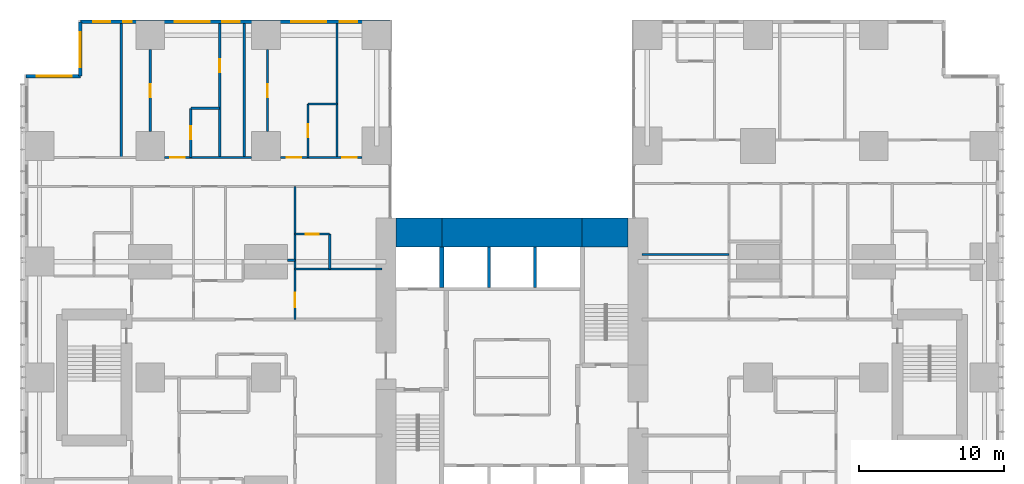
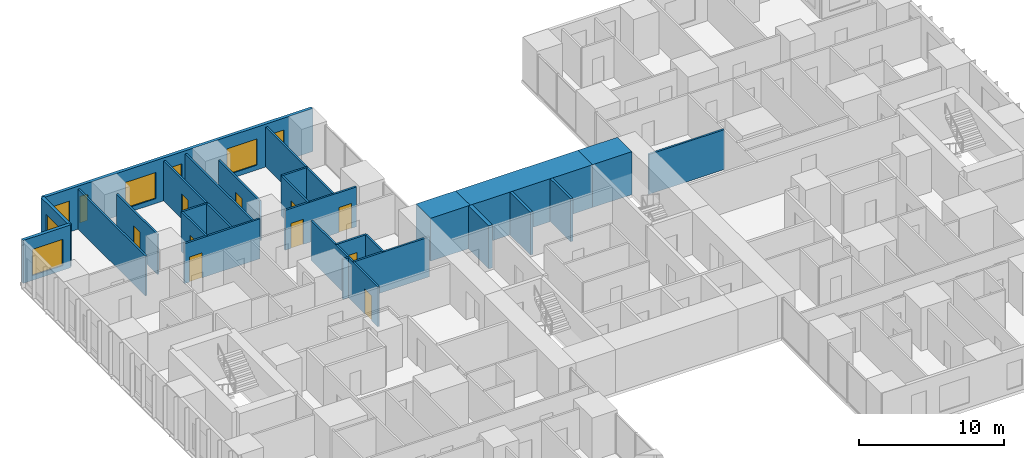
# One storey, part 17 of 21: 27 walls, 10 doors, 8 windows, 18 openings.
"""IFC4 building model written with IfcOpenShell, lengths in metres."""

from ifc_helpers import new_model, si_unit, direction, frame, frame_2d, origin, place, context, subcontext, project, spatial, rectangle, extrude, material, layer, layer_set, type_object, element, fill, save


model = new_model("IFC4")

# Units and contexts
model_context = context("Model", 3, precision=1e-05, world=origin(), true_north=direction((0.0, 1.0)))
body_context = subcontext(model_context, "Body", "Model", "MODEL_VIEW")
ifc_project = project(units=[si_unit("LENGTHUNIT", "METRE"), si_unit("AREAUNIT", "SQUARE_METRE"), si_unit("VOLUMEUNIT", "CUBIC_METRE"), si_unit("PLANEANGLEUNIT", "RADIAN"), si_unit("MASSUNIT", "GRAM", prefix="KILO")], contexts=[model_context])

# Site, building, storey
site_placement = place(None, origin())
site = spatial("IfcSite", under=ifc_project, at=site_placement, CompositionType="ELEMENT")
building_placement = place(site_placement, origin())
building = spatial("IfcBuilding", under=site, at=building_placement, Name="Cleftline Residences", CompositionType="ELEMENT")
storey_placement = place(building_placement, frame((0.0, 0.0, 128.60009765625)))
storey = spatial("IfcBuildingStorey", under=building, at=storey_placement, Name="L33", CompositionType="ELEMENT", Elevation=128.60009765625)

# Walls
ifc_material_1 = material(Name="Concrete B70", Category="concrete")
ifc_layer_1 = layer(ifc_material_1, 2.0)
ifc_layer_set_1 = layer_set([ifc_layer_1], Name="CORE WALL 2000")
wall_type_1 = type_object("IfcWallType", Name="CORE WALL 2000", PredefinedType="SHEAR", material=ifc_layer_set_1)
wall_1_placement = place(storey_placement, frame((25.0, 34.0, 0.0), z_axis=(0.0, 0.0, 1.0), x_axis=(1.0, 0.0, 0.0)))
element("IfcWall", 1, at=wall_1_placement, inside=storey, type_object=wall_type_1, Name="Core wall N1", PredefinedType="SHEAR", context=body_context, shape_type="SweptSolid", body=[
    extrude(rectangle(XDim=3.14990234375, YDim=2.0, at=frame_2d((1.574951171875, 0.0))), origin(), (0.0, 0.0, 1.0), 3.599853515625),
])
wall_2_placement = place(storey_placement, frame((28.14990234375, 34.0, 0.0), z_axis=(0.0, 0.0, 1.0), x_axis=(1.0, 0.0, 0.0)))
element("IfcWall", 2, at=wall_2_placement, inside=storey, type_object=wall_type_1, Name="Core wall N2", PredefinedType="SHEAR", context=body_context, shape_type="SweptSolid", body=[
    extrude(rectangle(XDim=9.7001953125, YDim=2.0, at=frame_2d((4.85009765625, 0.0))), origin(), (0.0, 0.0, 1.0), 3.599853515625),
])
wall_3_placement = place(storey_placement, frame((37.85009765625, 34.0, 0.0), z_axis=(0.0, 0.0, 1.0), x_axis=(1.0, 0.0, 0.0)))
element("IfcWall", 3, at=wall_3_placement, inside=storey, type_object=wall_type_1, Name="Core wall N3", PredefinedType="SHEAR", context=body_context, shape_type="SweptSolid", body=[
    extrude(rectangle(XDim=3.14990234375, YDim=2.0, at=frame_2d((1.574951171875, 0.0))), origin(), (0.0, 0.0, 1.0), 3.599853515625),
])
ifc_material_2 = material(Name="Concrete B70", Category="concrete")
ifc_layer_2 = layer(ifc_material_2, 0.300048828125)
ifc_layer_set_2 = layer_set([ifc_layer_2], Name="CORE WALL 300")
wall_type_2 = type_object("IfcWallType", Name="CORE WALL 300", PredefinedType="SHEAR", material=ifc_layer_set_2)
wall_4_placement = place(storey_placement, frame((28.14990234375, 30.199951171875, 0.0), z_axis=(0.0, 0.0, 1.0), x_axis=(0.0, 1.0, 0.0)))
element("IfcWall", 4, at=wall_4_placement, inside=storey, type_object=wall_type_2, Name="Lift shaft wall", PredefinedType="SHEAR", context=body_context, shape_type="SweptSolid", body=[
    extrude(rectangle(XDim=2.800048828125, YDim=0.300048828125, at=frame_2d((1.39990234375, 0.0))), origin(), (0.0, 0.0, 1.0), 3.599853515625),
])

# Wall, openings, windows
ifc_material_3 = material(Name="Rendered reinforced concrete blockwork", Category="masonry")
ifc_layer_3 = layer(ifc_material_3, 0.25)
ifc_layer_set_3 = layer_set([ifc_layer_3], Name="EXTERNAL WALL 250")
wall_type_3 = type_object("IfcWallType", Name="EXTERNAL WALL 250", PredefinedType="SOLIDWALL", material=ifc_layer_set_3)
wall_5_placement = place(storey_placement, frame((24.574951171875, 48.574951171875, 0.0), z_axis=(0.0, 0.0, 1.0), x_axis=(-1.0, 0.0, 0.0)))
wall_5 = element("IfcWall", 5, at=wall_5_placement, inside=storey, type_object=wall_type_3, Name="External wall", PredefinedType="SOLIDWALL", context=body_context, shape_type="SweptSolid", body=[
    extrude(rectangle(XDim=21.39990234375, YDim=0.25, at=frame_2d((10.699951171875, 0.0))), origin(), (0.0, 0.0, 1.0), 3.599853515625),
])
opening_1_placement = place(wall_5_placement, frame((2.27490234375, 0.0, 0.39990234375)))
opening_1 = element("IfcOpeningElement", 6, at=opening_1_placement, cuts=wall_5, Name="Opening W11", PredefinedType="OPENING", context=body_context, shape_type="SweptSolid", body=[
    extrude(rectangle(XDim=1.199951171875, YDim=2.199951171875, at=frame_2d((0.60009765625, 1.10009765625))), frame((0.0, 0.135009765625, 0.0), z_axis=(0.0, -1.0, 0.0), x_axis=(1.0, 0.0, 0.0)), (0.0, 0.0, 1.0), 0.27001953125),
])
opening_2_placement = place(wall_5_placement, frame((4.425048828125, 0.0, 0.39990234375)))
opening_2 = element("IfcOpeningElement", 7, at=opening_2_placement, cuts=wall_5, Name="Opening W12", PredefinedType="OPENING", context=body_context, shape_type="SweptSolid", body=[
    extrude(rectangle(XDim=2.39990234375, YDim=2.199951171875, at=frame_2d((1.199951171875, 1.10009765625))), frame((0.0, 0.135009765625, 0.0), z_axis=(0.0, -1.0, 0.0), x_axis=(1.0, 0.0, 0.0)), (0.0, 0.0, 1.0), 0.27001953125),
])
opening_3_placement = place(wall_5_placement, frame((10.39990234375, 0.0, 0.39990234375)))
opening_3 = element("IfcOpeningElement", 8, at=opening_3_placement, cuts=wall_5, Name="Opening W11", PredefinedType="OPENING", context=body_context, shape_type="SweptSolid", body=[
    extrude(rectangle(XDim=1.199951171875, YDim=2.199951171875, at=frame_2d((0.60009765625, 1.10009765625))), frame((0.0, 0.135009765625, 0.0), z_axis=(0.0, -1.0, 0.0), x_axis=(1.0, 0.0, 0.0)), (0.0, 0.0, 1.0), 0.27001953125),
])
opening_4_placement = place(wall_5_placement, frame((12.47509765625, 0.0, 0.39990234375)))
opening_4 = element("IfcOpeningElement", 9, at=opening_4_placement, cuts=wall_5, Name="Opening W12", PredefinedType="OPENING", context=body_context, shape_type="SweptSolid", body=[
    extrude(rectangle(XDim=2.39990234375, YDim=2.199951171875, at=frame_2d((1.199951171875, 1.10009765625))), frame((0.0, 0.135009765625, 0.0), z_axis=(0.0, -1.0, 0.0), x_axis=(1.0, 0.0, 0.0)), (0.0, 0.0, 1.0), 0.27001953125),
])
opening_5_placement = place(wall_5_placement, frame((17.85009765625, 0.0, 0.39990234375)))
opening_5 = element("IfcOpeningElement", 10, at=opening_5_placement, cuts=wall_5, Name="Opening W10", PredefinedType="OPENING", context=body_context, shape_type="SweptSolid", body=[
    extrude(rectangle(XDim=0.60009765625, YDim=2.199951171875, at=frame_2d((0.300048828125, 1.10009765625))), frame((0.0, 0.135009765625, 0.0), z_axis=(0.0, -1.0, 0.0), x_axis=(1.0, 0.0, 0.0)), (0.0, 0.0, 1.0), 0.27001953125),
])
opening_6_placement = place(wall_5_placement, frame((19.324951171875, 0.0, 0.39990234375)))
opening_6 = element("IfcOpeningElement", 11, at=opening_6_placement, cuts=wall_5, Name="Opening W11", PredefinedType="OPENING", context=body_context, shape_type="SweptSolid", body=[
    extrude(rectangle(XDim=1.199951171875, YDim=2.199951171875, at=frame_2d((0.60009765625, 1.10009765625))), frame((0.0, 0.135009765625, 0.0), z_axis=(0.0, -1.0, 0.0), x_axis=(1.0, 0.0, 0.0)), (0.0, 0.0, 1.0), 0.27001953125),
])
ifc_material_4 = material(Name="Aluminium frame, clear double glazing", Category="aluminium")
window_type_1 = type_object("IfcWindowType", Name="WINDOW 1200X2200", PartitioningType="DOUBLE_PANEL_VERTICAL", PredefinedType="WINDOW", material=ifc_material_4)
window_1_placement = place(opening_1_placement, origin())
window_1 = element("IfcWindow", 12, at=window_1_placement, inside=storey, type_object=window_type_1, Name="Window", OverallHeight=2.199951171875, OverallWidth=1.199951171875, PartitioningType="SINGLE_PANEL", PredefinedType="WINDOW", context=body_context, shape_type="SweptSolid", body=[
    extrude(rectangle(XDim=1.199951171875, YDim=2.199951171875, at=frame_2d((0.60009765625, 1.10009765625))), frame((0.0, 0.030029296875, 0.0), z_axis=(0.0, -1.0, 0.0), x_axis=(1.0, 0.0, 0.0)), (0.0, 0.0, 1.0), 0.06005859375),
])
fill(opening_1, window_1)
window_2_placement = place(opening_3_placement, origin())
window_2 = element("IfcWindow", 13, at=window_2_placement, inside=storey, type_object=window_type_1, Name="Window", OverallHeight=2.199951171875, OverallWidth=1.199951171875, PartitioningType="SINGLE_PANEL", PredefinedType="WINDOW", context=body_context, shape_type="SweptSolid", body=[
    extrude(rectangle(XDim=1.199951171875, YDim=2.199951171875, at=frame_2d((0.60009765625, 1.10009765625))), frame((0.0, 0.030029296875, 0.0), z_axis=(0.0, -1.0, 0.0), x_axis=(1.0, 0.0, 0.0)), (0.0, 0.0, 1.0), 0.06005859375),
])
fill(opening_3, window_2)
window_3_placement = place(opening_6_placement, origin())
window_3 = element("IfcWindow", 14, at=window_3_placement, inside=storey, type_object=window_type_1, Name="Window", OverallHeight=2.199951171875, OverallWidth=1.199951171875, PartitioningType="SINGLE_PANEL", PredefinedType="WINDOW", context=body_context, shape_type="SweptSolid", body=[
    extrude(rectangle(XDim=1.199951171875, YDim=2.199951171875, at=frame_2d((0.60009765625, 1.10009765625))), frame((0.0, 0.030029296875, 0.0), z_axis=(0.0, -1.0, 0.0), x_axis=(1.0, 0.0, 0.0)), (0.0, 0.0, 1.0), 0.06005859375),
])
fill(opening_6, window_3)
ifc_material_5 = material(Name="Aluminium frame, clear double glazing", Category="aluminium")
window_type_2 = type_object("IfcWindowType", Name="WINDOW 2400X2200", PartitioningType="DOUBLE_PANEL_VERTICAL", PredefinedType="WINDOW", material=ifc_material_5)
window_4_placement = place(opening_2_placement, origin())
window_4 = element("IfcWindow", 15, at=window_4_placement, inside=storey, type_object=window_type_2, Name="Window", OverallHeight=2.199951171875, OverallWidth=2.39990234375, PartitioningType="SINGLE_PANEL", PredefinedType="WINDOW", context=body_context, shape_type="SweptSolid", body=[
    extrude(rectangle(XDim=2.39990234375, YDim=2.199951171875, at=frame_2d((1.199951171875, 1.10009765625))), frame((0.0, 0.030029296875, 0.0), z_axis=(0.0, -1.0, 0.0), x_axis=(1.0, 0.0, 0.0)), (0.0, 0.0, 1.0), 0.06005859375),
])
fill(opening_2, window_4)
window_5_placement = place(opening_4_placement, origin())
window_5 = element("IfcWindow", 16, at=window_5_placement, inside=storey, type_object=window_type_2, Name="Window", OverallHeight=2.199951171875, OverallWidth=2.39990234375, PartitioningType="SINGLE_PANEL", PredefinedType="WINDOW", context=body_context, shape_type="SweptSolid", body=[
    extrude(rectangle(XDim=2.39990234375, YDim=2.199951171875, at=frame_2d((1.199951171875, 1.10009765625))), frame((0.0, 0.030029296875, 0.0), z_axis=(0.0, -1.0, 0.0), x_axis=(1.0, 0.0, 0.0)), (0.0, 0.0, 1.0), 0.06005859375),
])
fill(opening_4, window_5)
ifc_material_6 = material(Name="Aluminium frame, clear double glazing", Category="aluminium")
window_type_3 = type_object("IfcWindowType", Name="WINDOW 600X2200", PartitioningType="DOUBLE_PANEL_VERTICAL", PredefinedType="WINDOW", material=ifc_material_6)
window_6_placement = place(opening_5_placement, origin())
window_6 = element("IfcWindow", 17, at=window_6_placement, inside=storey, type_object=window_type_3, Name="Window", OverallHeight=2.199951171875, OverallWidth=0.60009765625, PartitioningType="SINGLE_PANEL", PredefinedType="WINDOW", context=body_context, shape_type="SweptSolid", body=[
    extrude(rectangle(XDim=0.60009765625, YDim=2.199951171875, at=frame_2d((0.300048828125, 1.10009765625))), frame((0.0, 0.030029296875, 0.0), z_axis=(0.0, -1.0, 0.0), x_axis=(1.0, 0.0, 0.0)), (0.0, 0.0, 1.0), 0.06005859375),
])
fill(opening_5, window_6)

# Wall, opening, window
wall_6_placement = place(storey_placement, frame((3.175048828125, 48.574951171875, 0.0), z_axis=(0.0, 0.0, 1.0), x_axis=(0.0, -1.0, 0.0)))
wall_6 = element("IfcWall", 18, at=wall_6_placement, inside=storey, type_object=wall_type_3, Name="External wall", PredefinedType="SOLIDWALL", context=body_context, shape_type="SweptSolid", body=[
    extrude(rectangle(XDim=3.75, YDim=0.25, at=frame_2d((1.875, 0.0))), origin(), (0.0, 0.0, 1.0), 3.599853515625),
])
opening_7_placement = place(wall_6_placement, frame((0.737548828125, 0.0, 0.39990234375)))
opening_7 = element("IfcOpeningElement", 19, at=opening_7_placement, cuts=wall_6, Name="Opening W12", PredefinedType="OPENING", context=body_context, shape_type="SweptSolid", body=[
    extrude(rectangle(XDim=2.39990234375, YDim=2.199951171875, at=frame_2d((1.199951171875, 1.10009765625))), frame((0.0, 0.135009765625, 0.0), z_axis=(0.0, -1.0, 0.0), x_axis=(1.0, 0.0, 0.0)), (0.0, 0.0, 1.0), 0.27001953125),
])
window_7_placement = place(opening_7_placement, origin())
window_7 = element("IfcWindow", 20, at=window_7_placement, inside=storey, type_object=window_type_2, Name="Window", OverallHeight=2.199951171875, OverallWidth=2.39990234375, PartitioningType="SINGLE_PANEL", PredefinedType="WINDOW", context=body_context, shape_type="SweptSolid", body=[
    extrude(rectangle(XDim=2.39990234375, YDim=2.199951171875, at=frame_2d((1.199951171875, 1.10009765625))), frame((0.0, 0.030029296875, 0.0), z_axis=(0.0, -1.0, 0.0), x_axis=(1.0, 0.0, 0.0)), (0.0, 0.0, 1.0), 0.06005859375),
])
fill(opening_7, window_7)

wall_7_placement = place(storey_placement, frame((3.175048828125, 44.824951171875, 0.0), z_axis=(0.0, 0.0, 1.0), x_axis=(-1.0, 0.0, 0.0)))
wall_7 = element("IfcWall", 21, at=wall_7_placement, inside=storey, type_object=wall_type_3, Name="External wall", PredefinedType="SOLIDWALL", context=body_context, shape_type="SweptSolid", body=[
    extrude(rectangle(XDim=3.75, YDim=0.25, at=frame_2d((1.875, 0.0))), origin(), (0.0, 0.0, 1.0), 3.599853515625),
])
opening_8_placement = place(wall_7_placement, frame((0.612548828125, 0.0, 0.39990234375)))
opening_8 = element("IfcOpeningElement", 22, at=opening_8_placement, cuts=wall_7, Name="Opening W12", PredefinedType="OPENING", context=body_context, shape_type="SweptSolid", body=[
    extrude(rectangle(XDim=2.39990234375, YDim=2.199951171875, at=frame_2d((1.199951171875, 1.10009765625))), frame((0.0, 0.135009765625, 0.0), z_axis=(0.0, -1.0, 0.0), x_axis=(1.0, 0.0, 0.0)), (0.0, 0.0, 1.0), 0.27001953125),
])
window_8_placement = place(opening_8_placement, origin())
window_8 = element("IfcWindow", 23, at=window_8_placement, inside=storey, type_object=window_type_2, Name="Window", OverallHeight=2.199951171875, OverallWidth=2.39990234375, PartitioningType="SINGLE_PANEL", PredefinedType="WINDOW", context=body_context, shape_type="SweptSolid", body=[
    extrude(rectangle(XDim=2.39990234375, YDim=2.199951171875, at=frame_2d((1.199951171875, 1.10009765625))), frame((0.0, 0.030029296875, 0.0), z_axis=(0.0, -1.0, 0.0), x_axis=(1.0, 0.0, 0.0)), (0.0, 0.0, 1.0), 0.06005859375),
])
fill(opening_8, window_8)

# Walls
ifc_material_7 = material(Name="Gypsum board on steel studs", Category="steel")
ifc_layer_4 = layer(ifc_material_7, 0.14990234375)
ifc_layer_set_4 = layer_set([ifc_layer_4], Name="PARTITION 150")
wall_type_4 = type_object("IfcWallType", Name="PARTITION 150", PredefinedType="PARTITIONING", material=ifc_layer_set_4)
wall_8_placement = place(storey_placement, frame((18.0, 31.5, 0.0), z_axis=(0.0, 0.0, 1.0), x_axis=(1.0, 0.0, 0.0)))
element("IfcWall", 24, at=wall_8_placement, inside=storey, type_object=wall_type_4, Name="Partition", PredefinedType="PARTITIONING", context=body_context, shape_type="SweptSolid", body=[
    extrude(rectangle(XDim=6.0, YDim=0.14990234375, at=frame_2d((3.0, 0.0))), origin(), (0.0, 0.0, 1.0), 3.349853515625),
])
wall_9_placement = place(storey_placement, frame((17.5, 32.10009765625, 0.0), z_axis=(0.0, 0.0, 1.0), x_axis=(1.0, 0.0, 0.0)))
element("IfcWall", 25, at=wall_9_placement, inside=storey, type_object=wall_type_4, Name="Partition", PredefinedType="PARTITIONING", context=body_context, shape_type="SweptSolid", body=[
    extrude(rectangle(XDim=0.5, YDim=0.14990234375, at=frame_2d((0.25, 0.0))), origin(), (0.0, 0.0, 1.0), 3.349853515625),
])
wall_10_placement = place(storey_placement, frame((42.0, 32.5, 0.0), z_axis=(0.0, 0.0, 1.0), x_axis=(1.0, 0.0, 0.0)))
element("IfcWall", 26, at=wall_10_placement, inside=storey, type_object=wall_type_4, Name="Partition", PredefinedType="PARTITIONING", context=body_context, shape_type="SweptSolid", body=[
    extrude(rectangle(XDim=6.0, YDim=0.14990234375, at=frame_2d((3.0, 0.0))), origin(), (0.0, 0.0, 1.0), 3.349853515625),
])

# Wall, opening, door
wall_11_placement = place(storey_placement, frame((18.0, 33.89990234375, 0.0), z_axis=(0.0, 0.0, 1.0), x_axis=(1.0, 0.0, 0.0)))
wall_11 = element("IfcWall", 27, at=wall_11_placement, inside=storey, type_object=wall_type_4, Name="Partition", PredefinedType="PARTITIONING", context=body_context, shape_type="SweptSolid", body=[
    extrude(rectangle(XDim=2.39990234375, YDim=0.14990234375, at=frame_2d((1.199951171875, 0.0))), origin(), (0.0, 0.0, 1.0), 3.349853515625),
])
opening_9_placement = place(wall_11_placement, frame((0.75, 0.0, 0.0)))
opening_9 = element("IfcOpeningElement", 28, at=opening_9_placement, cuts=wall_11, Name="Opening D1", PredefinedType="OPENING", context=body_context, shape_type="SweptSolid", body=[
    extrude(rectangle(XDim=0.89990234375, YDim=2.10009765625, at=frame_2d((0.449951171875, 1.050048828125))), frame((0.0, 0.0849609375, 0.0), z_axis=(0.0, -1.0, 0.0), x_axis=(1.0, 0.0, 0.0)), (0.0, 0.0, 1.0), 0.169921875),
])
ifc_material_8 = material(Name="Timber veneer on solid core", Category="wood")
door_type_1 = type_object("IfcDoorType", Name="DOOR 900X2100", OperationType="SINGLE_SWING_LEFT", PredefinedType="DOOR", material=ifc_material_8)
door_1_placement = place(opening_9_placement, origin())
door_1 = element("IfcDoor", 29, at=door_1_placement, inside=storey, type_object=door_type_1, Name="Door to staff shower room", OperationType="SINGLE_SWING_LEFT", OverallHeight=2.10009765625, OverallWidth=0.89990234375, PredefinedType="DOOR", context=body_context, shape_type="SweptSolid", body=[
    extrude(rectangle(XDim=0.89990234375, YDim=2.10009765625, at=frame_2d((0.449951171875, 1.050048828125))), frame((0.0, 0.02490234375, 0.0), z_axis=(0.0, -1.0, 0.0), x_axis=(1.0, 0.0, 0.0)), (0.0, 0.0, 1.0), 0.050048828125),
])
fill(opening_9, door_1)

wall_12_placement = place(storey_placement, frame((9.0, 39.199951171875, 0.0), z_axis=(0.0, 0.0, 1.0), x_axis=(1.0, 0.0, 0.0)))
wall_12 = element("IfcWall", 30, at=wall_12_placement, inside=storey, type_object=wall_type_4, Name="Partition", PredefinedType="PARTITIONING", context=body_context, shape_type="SweptSolid", body=[
    extrude(rectangle(XDim=6.0, YDim=0.14990234375, at=frame_2d((3.0, 0.0))), origin(), (0.0, 0.0, 1.0), 3.349853515625),
])
opening_10_placement = place(wall_12_placement, frame((0.39990234375, 0.0, 0.0)))
opening_10 = element("IfcOpeningElement", 31, at=opening_10_placement, cuts=wall_12, Name="Opening D2", PredefinedType="OPENING", context=body_context, shape_type="SweptSolid", body=[
    extrude(rectangle(XDim=1.0, YDim=2.10009765625, at=frame_2d((0.5, 1.050048828125))), frame((0.0, 0.0849609375, 0.0), z_axis=(0.0, -1.0, 0.0), x_axis=(1.0, 0.0, 0.0)), (0.0, 0.0, 1.0), 0.169921875),
])
ifc_material_9 = material(Name="Timber veneer on solid core", Category="wood")
door_type_2 = type_object("IfcDoorType", Name="DOOR 1000X2100", OperationType="SINGLE_SWING_LEFT", PredefinedType="DOOR", material=ifc_material_9)
door_2_placement = place(opening_10_placement, origin())
door_2 = element("IfcDoor", 32, at=door_2_placement, inside=storey, type_object=door_type_2, Name="Door to bedroom 2", OperationType="SINGLE_SWING_RIGHT", OverallHeight=2.10009765625, OverallWidth=1.0, PredefinedType="DOOR", context=body_context, shape_type="SweptSolid", body=[
    extrude(rectangle(XDim=1.0, YDim=2.10009765625, at=frame_2d((0.5, 1.050048828125))), frame((0.0, 0.02490234375, 0.0), z_axis=(0.0, -1.0, 0.0), x_axis=(1.0, 0.0, 0.0)), (0.0, 0.0, 1.0), 0.050048828125),
])
fill(opening_10, door_2)

# Wall, openings, doors
wall_13_placement = place(storey_placement, frame((17.0, 39.199951171875, 0.0), z_axis=(0.0, 0.0, 1.0), x_axis=(1.0, 0.0, 0.0)))
wall_13 = element("IfcWall", 33, at=wall_13_placement, inside=storey, type_object=wall_type_4, Name="Partition", PredefinedType="PARTITIONING", context=body_context, shape_type="SweptSolid", body=[
    extrude(rectangle(XDim=5.64990234375, YDim=0.14990234375, at=frame_2d((2.824951171875, 0.0))), origin(), (0.0, 0.0, 1.0), 3.349853515625),
])
opening_11_placement = place(wall_13_placement, frame((0.449951171875, 0.0, 0.0)))
opening_11 = element("IfcOpeningElement", 34, at=opening_11_placement, cuts=wall_13, Name="Opening D2", PredefinedType="OPENING", context=body_context, shape_type="SweptSolid", body=[
    extrude(rectangle(XDim=1.0, YDim=2.10009765625, at=frame_2d((0.5, 1.050048828125))), frame((0.0, 0.0849609375, 0.0), z_axis=(0.0, -1.0, 0.0), x_axis=(1.0, 0.0, 0.0)), (0.0, 0.0, 1.0), 0.169921875),
])
opening_12_placement = place(wall_13_placement, frame((4.27490234375, 0.0, 0.0)))
opening_12 = element("IfcOpeningElement", 35, at=opening_12_placement, cuts=wall_13, Name="Opening D2", PredefinedType="OPENING", context=body_context, shape_type="SweptSolid", body=[
    extrude(rectangle(XDim=1.0, YDim=2.10009765625, at=frame_2d((0.5, 1.050048828125))), frame((0.0, 0.0849609375, 0.0), z_axis=(0.0, -1.0, 0.0), x_axis=(1.0, 0.0, 0.0)), (0.0, 0.0, 1.0), 0.169921875),
])
door_3_placement = place(opening_11_placement, origin())
door_3 = element("IfcDoor", 36, at=door_3_placement, inside=storey, type_object=door_type_2, Name="Door to bedroom 3", OperationType="SINGLE_SWING_RIGHT", OverallHeight=2.10009765625, OverallWidth=1.0, PredefinedType="DOOR", context=body_context, shape_type="SweptSolid", body=[
    extrude(rectangle(XDim=1.0, YDim=2.10009765625, at=frame_2d((0.5, 1.050048828125))), frame((0.0, 0.02490234375, 0.0), z_axis=(0.0, -1.0, 0.0), x_axis=(1.0, 0.0, 0.0)), (0.0, 0.0, 1.0), 0.050048828125),
])
fill(opening_11, door_3)
door_4_placement = place(opening_12_placement, origin())
door_4 = element("IfcDoor", 37, at=door_4_placement, inside=storey, type_object=door_type_2, Name="Door to bedroom 3 sitting room", OperationType="SINGLE_SWING_LEFT", OverallHeight=2.10009765625, OverallWidth=1.0, PredefinedType="DOOR", context=body_context, shape_type="SweptSolid", body=[
    extrude(rectangle(XDim=1.0, YDim=2.10009765625, at=frame_2d((0.5, 1.050048828125))), frame((0.0, 0.02490234375, 0.0), z_axis=(0.0, -1.0, 0.0), x_axis=(1.0, 0.0, 0.0)), (0.0, 0.0, 1.0), 0.050048828125),
])
fill(opening_12, door_4)

# Walls
for number, where, z_axis, x_axis, name in (
    (38, (10.800048828125, 42.60009765625, 0.0), (0.0, 0.0, 1.0), (1.0, 0.0, 0.0), "Partition"),
    (39, (18.89990234375, 42.89990234375, 0.0), (0.0, 0.0, 1.0), (1.0, 0.0, 0.0), "Partition"),
):
    element("IfcWall", number, at=place(storey_placement, frame(where, z_axis=z_axis, x_axis=x_axis)), inside=storey, type_object=wall_type_4, Name=name, PredefinedType="PARTITIONING", context=body_context, shape_type="SweptSolid", body=[
        extrude(rectangle(XDim=2.0, YDim=0.14990234375, at=frame_2d((1.0, 0.0))), origin(), (0.0, 0.0, 1.0), 3.349853515625),
    ])
wall_14_placement = place(storey_placement, frame((6.0, 39.199951171875, 0.0), z_axis=(0.0, 0.0, 1.0), x_axis=(0.0, 1.0, 0.0)))
element("IfcWall", 40, at=wall_14_placement, inside=storey, type_object=wall_type_4, Name="Partition", PredefinedType="PARTITIONING", context=body_context, shape_type="SweptSolid", body=[
    extrude(rectangle(XDim=9.25, YDim=0.14990234375, at=frame_2d((4.625, 0.0))), origin(), (0.0, 0.0, 1.0), 3.349853515625),
])

# Wall, opening, door
wall_15_placement = place(storey_placement, frame((8.0, 41.0, 0.0), z_axis=(0.0, 0.0, 1.0), x_axis=(0.0, 1.0, 0.0)))
wall_15 = element("IfcWall", 41, at=wall_15_placement, inside=storey, type_object=wall_type_4, Name="Partition", PredefinedType="PARTITIONING", context=body_context, shape_type="SweptSolid", body=[
    extrude(rectangle(XDim=5.64990234375, YDim=0.14990234375, at=frame_2d((2.824951171875, 0.0))), origin(), (0.0, 0.0, 1.0), 3.349853515625),
])
opening_13_placement = place(wall_15_placement, frame((2.375, 0.0, 0.0)))
opening_13 = element("IfcOpeningElement", 42, at=opening_13_placement, cuts=wall_15, Name="Opening D1", PredefinedType="OPENING", context=body_context, shape_type="SweptSolid", body=[
    extrude(rectangle(XDim=0.89990234375, YDim=2.10009765625, at=frame_2d((0.449951171875, 1.050048828125))), frame((0.0, 0.0849609375, 0.0), z_axis=(0.0, -1.0, 0.0), x_axis=(1.0, 0.0, 0.0)), (0.0, 0.0, 1.0), 0.169921875),
])
door_5_placement = place(opening_13_placement, origin())
door_5 = element("IfcDoor", 43, at=door_5_placement, inside=storey, type_object=door_type_1, Name="Door to walk-in wardrobe", OperationType="SINGLE_SWING_LEFT", OverallHeight=2.10009765625, OverallWidth=0.89990234375, PredefinedType="DOOR", context=body_context, shape_type="SweptSolid", body=[
    extrude(rectangle(XDim=0.89990234375, YDim=2.10009765625, at=frame_2d((0.449951171875, 1.050048828125))), frame((0.0, 0.02490234375, 0.0), z_axis=(0.0, -1.0, 0.0), x_axis=(1.0, 0.0, 0.0)), (0.0, 0.0, 1.0), 0.050048828125),
])
fill(opening_13, door_5)

wall_16_placement = place(storey_placement, frame((10.800048828125, 39.199951171875, 0.0), z_axis=(0.0, 0.0, 1.0), x_axis=(0.0, 1.0, 0.0)))
wall_16 = element("IfcWall", 44, at=wall_16_placement, inside=storey, type_object=wall_type_4, Name="Partition", PredefinedType="PARTITIONING", context=body_context, shape_type="SweptSolid", body=[
    extrude(rectangle(XDim=3.400146484375, YDim=0.14990234375, at=frame_2d((1.7001953125, 0.0))), origin(), (0.0, 0.0, 1.0), 3.349853515625),
])
opening_14_placement = place(wall_16_placement, frame((1.25, 0.0, 0.0)))
opening_14 = element("IfcOpeningElement", 45, at=opening_14_placement, cuts=wall_16, Name="Opening D1", PredefinedType="OPENING", context=body_context, shape_type="SweptSolid", body=[
    extrude(rectangle(XDim=0.89990234375, YDim=2.10009765625, at=frame_2d((0.449951171875, 1.050048828125))), frame((0.0, 0.0849609375, 0.0), z_axis=(0.0, -1.0, 0.0), x_axis=(1.0, 0.0, 0.0)), (0.0, 0.0, 1.0), 0.169921875),
])
door_6_placement = place(opening_14_placement, origin())
door_6 = element("IfcDoor", 46, at=door_6_placement, inside=storey, type_object=door_type_1, Name="Door to en-suite bathroom 2", OperationType="SINGLE_SWING_LEFT", OverallHeight=2.10009765625, OverallWidth=0.89990234375, PredefinedType="DOOR", context=body_context, shape_type="SweptSolid", body=[
    extrude(rectangle(XDim=0.89990234375, YDim=2.10009765625, at=frame_2d((0.449951171875, 1.050048828125))), frame((0.0, 0.02490234375, 0.0), z_axis=(0.0, -1.0, 0.0), x_axis=(1.0, 0.0, 0.0)), (0.0, 0.0, 1.0), 0.050048828125),
])
fill(opening_14, door_6)

wall_17_placement = place(storey_placement, frame((12.800048828125, 39.199951171875, 0.0), z_axis=(0.0, 0.0, 1.0), x_axis=(0.0, 1.0, 0.0)))
wall_17 = element("IfcWall", 47, at=wall_17_placement, inside=storey, type_object=wall_type_4, Name="Partition", PredefinedType="PARTITIONING", context=body_context, shape_type="SweptSolid", body=[
    extrude(rectangle(XDim=9.25, YDim=0.14990234375, at=frame_2d((4.625, 0.0))), origin(), (0.0, 0.0, 1.0), 3.349853515625),
])
opening_15_placement = place(wall_17_placement, frame((5.875, 0.0, 0.0)))
opening_15 = element("IfcOpeningElement", 48, at=opening_15_placement, cuts=wall_17, Name="Opening D1", PredefinedType="OPENING", context=body_context, shape_type="SweptSolid", body=[
    extrude(rectangle(XDim=0.89990234375, YDim=2.10009765625, at=frame_2d((0.449951171875, 1.050048828125))), frame((0.0, 0.0849609375, 0.0), z_axis=(0.0, -1.0, 0.0), x_axis=(1.0, 0.0, 0.0)), (0.0, 0.0, 1.0), 0.169921875),
])
door_7_placement = place(opening_15_placement, origin())
door_7 = element("IfcDoor", 49, at=door_7_placement, inside=storey, type_object=door_type_1, Name="Door to walk-in wardrobe", OperationType="SINGLE_SWING_LEFT", OverallHeight=2.10009765625, OverallWidth=0.89990234375, PredefinedType="DOOR", context=body_context, shape_type="SweptSolid", body=[
    extrude(rectangle(XDim=0.89990234375, YDim=2.10009765625, at=frame_2d((0.449951171875, 1.050048828125))), frame((0.0, 0.02490234375, 0.0), z_axis=(0.0, -1.0, 0.0), x_axis=(1.0, 0.0, 0.0)), (0.0, 0.0, 1.0), 0.050048828125),
])
fill(opening_15, door_7)

# Wall
wall_18_placement = place(storey_placement, frame((14.5, 39.199951171875, 0.0), z_axis=(0.0, 0.0, 1.0), x_axis=(0.0, 1.0, 0.0)))
element("IfcWall", 50, at=wall_18_placement, inside=storey, type_object=wall_type_4, Name="Partition", PredefinedType="PARTITIONING", context=body_context, shape_type="SweptSolid", body=[
    extrude(rectangle(XDim=9.25, YDim=0.14990234375, at=frame_2d((4.625, 0.0))), origin(), (0.0, 0.0, 1.0), 3.349853515625),
])

# Wall, opening, door
wall_19_placement = place(storey_placement, frame((16.10009765625, 41.0, 0.0), z_axis=(0.0, 0.0, 1.0), x_axis=(0.0, 1.0, 0.0)))
wall_19 = element("IfcWall", 51, at=wall_19_placement, inside=storey, type_object=wall_type_4, Name="Partition", PredefinedType="PARTITIONING", context=body_context, shape_type="SweptSolid", body=[
    extrude(rectangle(XDim=5.64990234375, YDim=0.14990234375, at=frame_2d((2.824951171875, 0.0))), origin(), (0.0, 0.0, 1.0), 3.349853515625),
])
opening_16_placement = place(wall_19_placement, frame((2.375, 0.0, 0.0)))
opening_16 = element("IfcOpeningElement", 52, at=opening_16_placement, cuts=wall_19, Name="Opening D1", PredefinedType="OPENING", context=body_context, shape_type="SweptSolid", body=[
    extrude(rectangle(XDim=0.89990234375, YDim=2.10009765625, at=frame_2d((0.449951171875, 1.050048828125))), frame((0.0, 0.0849609375, 0.0), z_axis=(0.0, -1.0, 0.0), x_axis=(1.0, 0.0, 0.0)), (0.0, 0.0, 1.0), 0.169921875),
])
door_8_placement = place(opening_16_placement, origin())
door_8 = element("IfcDoor", 53, at=door_8_placement, inside=storey, type_object=door_type_1, Name="Door to walk-in wardrobe", OperationType="SINGLE_SWING_LEFT", OverallHeight=2.10009765625, OverallWidth=0.89990234375, PredefinedType="DOOR", context=body_context, shape_type="SweptSolid", body=[
    extrude(rectangle(XDim=0.89990234375, YDim=2.10009765625, at=frame_2d((0.449951171875, 1.050048828125))), frame((0.0, 0.02490234375, 0.0), z_axis=(0.0, -1.0, 0.0), x_axis=(1.0, 0.0, 0.0)), (0.0, 0.0, 1.0), 0.050048828125),
])
fill(opening_16, door_8)

wall_20_placement = place(storey_placement, frame((18.0, 28.0, 0.0), z_axis=(0.0, 0.0, 1.0), x_axis=(0.0, 1.0, 0.0)))
wall_20 = element("IfcWall", 54, at=wall_20_placement, inside=storey, type_object=wall_type_4, Name="Partition", PredefinedType="PARTITIONING", context=body_context, shape_type="SweptSolid", body=[
    extrude(rectangle(XDim=9.199951171875, YDim=0.14990234375, at=frame_2d((4.60009765625, 0.0))), origin(), (0.0, 0.0, 1.0), 3.349853515625),
])
opening_17_placement = place(wall_20_placement, frame((0.83740234375, 0.0, 0.0)))
opening_17 = element("IfcOpeningElement", 55, at=opening_17_placement, cuts=wall_20, Name="Opening D2", PredefinedType="OPENING", context=body_context, shape_type="SweptSolid", body=[
    extrude(rectangle(XDim=1.0, YDim=2.10009765625, at=frame_2d((0.5, 1.050048828125))), frame((0.0, 0.0849609375, 0.0), z_axis=(0.0, -1.0, 0.0), x_axis=(1.0, 0.0, 0.0)), (0.0, 0.0, 1.0), 0.169921875),
])
door_9_placement = place(opening_17_placement, origin())
door_9 = element("IfcDoor", 56, at=door_9_placement, inside=storey, type_object=door_type_2, Name="Door to morning kitchen", OperationType="SINGLE_SWING_RIGHT", OverallHeight=2.10009765625, OverallWidth=1.0, PredefinedType="DOOR", context=body_context, shape_type="SweptSolid", body=[
    extrude(rectangle(XDim=1.0, YDim=2.10009765625, at=frame_2d((0.5, 1.050048828125))), frame((0.0, 0.02490234375, 0.0), z_axis=(0.0, -1.0, 0.0), x_axis=(1.0, 0.0, 0.0)), (0.0, 0.0, 1.0), 0.050048828125),
])
fill(opening_17, door_9)

wall_21_placement = place(storey_placement, frame((18.89990234375, 39.199951171875, 0.0), z_axis=(0.0, 0.0, 1.0), x_axis=(0.0, 1.0, 0.0)))
wall_21 = element("IfcWall", 57, at=wall_21_placement, inside=storey, type_object=wall_type_4, Name="Partition", PredefinedType="PARTITIONING", context=body_context, shape_type="SweptSolid", body=[
    extrude(rectangle(XDim=3.699951171875, YDim=0.14990234375, at=frame_2d((1.85009765625, 0.0))), origin(), (0.0, 0.0, 1.0), 3.349853515625),
])
opening_18_placement = place(wall_21_placement, frame((1.39990234375, 0.0, 0.0)))
opening_18 = element("IfcOpeningElement", 58, at=opening_18_placement, cuts=wall_21, Name="Opening D1", PredefinedType="OPENING", context=body_context, shape_type="SweptSolid", body=[
    extrude(rectangle(XDim=0.89990234375, YDim=2.10009765625, at=frame_2d((0.449951171875, 1.050048828125))), frame((0.0, 0.0849609375, 0.0), z_axis=(0.0, -1.0, 0.0), x_axis=(1.0, 0.0, 0.0)), (0.0, 0.0, 1.0), 0.169921875),
])
door_10_placement = place(opening_18_placement, origin())
door_10 = element("IfcDoor", 59, at=door_10_placement, inside=storey, type_object=door_type_1, Name="Door to en-suite bathroom 3", OperationType="SINGLE_SWING_LEFT", OverallHeight=2.10009765625, OverallWidth=0.89990234375, PredefinedType="DOOR", context=body_context, shape_type="SweptSolid", body=[
    extrude(rectangle(XDim=0.89990234375, YDim=2.10009765625, at=frame_2d((0.449951171875, 1.050048828125))), frame((0.0, 0.02490234375, 0.0), z_axis=(0.0, -1.0, 0.0), x_axis=(1.0, 0.0, 0.0)), (0.0, 0.0, 1.0), 0.050048828125),
])
fill(opening_18, door_10)

# Walls
wall_22_placement = place(storey_placement, frame((20.39990234375, 31.5, 0.0), z_axis=(0.0, 0.0, 1.0), x_axis=(0.0, 1.0, 0.0)))
element("IfcWall", 60, at=wall_22_placement, inside=storey, type_object=wall_type_4, Name="Partition", PredefinedType="PARTITIONING", context=body_context, shape_type="SweptSolid", body=[
    extrude(rectangle(XDim=2.39990234375, YDim=0.14990234375, at=frame_2d((1.199951171875, 0.0))), origin(), (0.0, 0.0, 1.0), 3.349853515625),
])
wall_23_placement = place(storey_placement, frame((20.89990234375, 39.199951171875, 0.0), z_axis=(0.0, 0.0, 1.0), x_axis=(0.0, 1.0, 0.0)))
element("IfcWall", 61, at=wall_23_placement, inside=storey, type_object=wall_type_4, Name="Partition", PredefinedType="PARTITIONING", context=body_context, shape_type="SweptSolid", body=[
    extrude(rectangle(XDim=9.25, YDim=0.14990234375, at=frame_2d((4.625, 0.0))), origin(), (0.0, 0.0, 1.0), 3.349853515625),
])
ifc_material_10 = material(Name="Concrete blockwork, fire rated", Category="masonry")
ifc_layer_5 = layer(ifc_material_10, 0.199951171875)
ifc_layer_set_5 = layer_set([ifc_layer_5], Name="SHAFT WALL 200")
wall_type_5 = type_object("IfcWallType", Name="SHAFT WALL 200", PredefinedType="PARTITIONING", material=ifc_layer_set_5)
for number, where, z_axis, x_axis, name in (
    (62, (31.39990234375, 30.199951171875, 0.0), (0.0, 0.0, 1.0), (0.0, 1.0, 0.0), "Lift shaft wall"),
    (63, (34.60009765625, 30.199951171875, 0.0), (0.0, 0.0, 1.0), (0.0, 1.0, 0.0), "Lift shaft wall"),
):
    element("IfcWall", number, at=place(storey_placement, frame(where, z_axis=z_axis, x_axis=x_axis)), inside=storey, type_object=wall_type_5, Name=name, PredefinedType="PARTITIONING", context=body_context, shape_type="SweptSolid", body=[
        extrude(rectangle(XDim=2.800048828125, YDim=0.199951171875, at=frame_2d((1.39990234375, 0.0))), origin(), (0.0, 0.0, 1.0), 3.599853515625),
    ])

save(model, "model.ifc")
